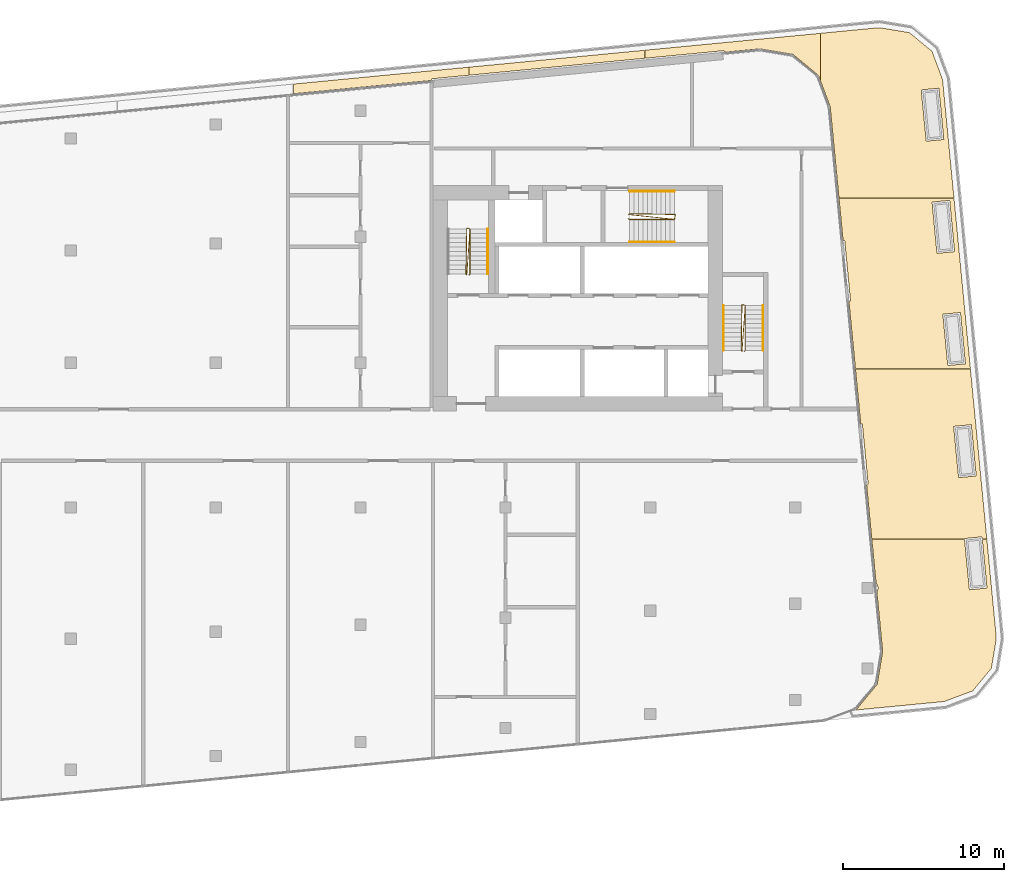
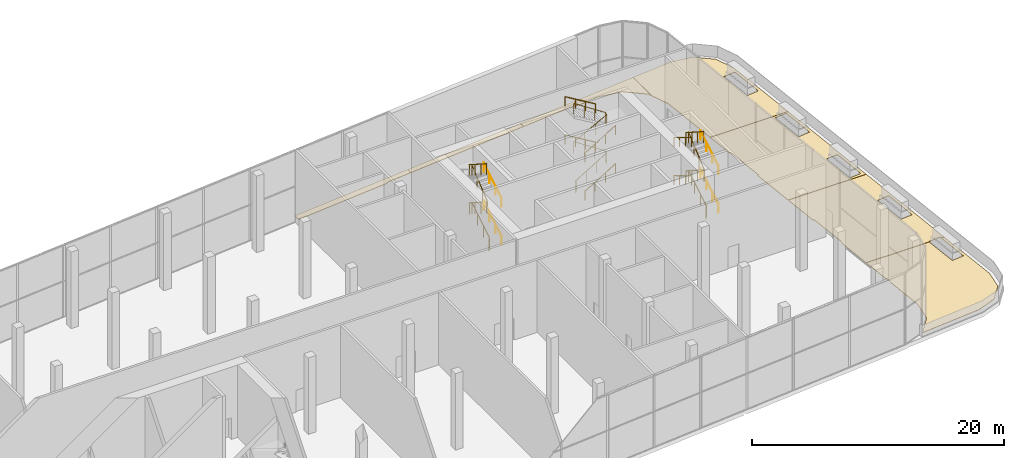
# One storey, part 24 of 25: 13 railings, 7 coverings.
"""IFC4 building model written with IfcOpenShell, lengths in metres."""

from ifc_helpers import new_model, si_unit, direction, frame, origin, origin_2d, place, context, subcontext, project, spatial, polyline, circle, outline, extrude, material, layer, layer_set, type_object, element, save


model = new_model("IFC4")

# Units and contexts
model_context = context("Model", 3, precision=1e-05, world=origin(), true_north=direction((0.0, 1.0)))
body_context = subcontext(model_context, "Body", "Model", "MODEL_VIEW")
ifc_project = project(units=[si_unit("LENGTHUNIT", "METRE"), si_unit("AREAUNIT", "SQUARE_METRE"), si_unit("VOLUMEUNIT", "CUBIC_METRE"), si_unit("PLANEANGLEUNIT", "RADIAN"), si_unit("MASSUNIT", "GRAM", prefix="KILO")], contexts=[model_context])

# Site, building, storey
site_placement = place(None, origin())
site = spatial("IfcSite", under=ifc_project, at=site_placement, CompositionType="ELEMENT")
building_placement = place(site_placement, origin())
building = spatial("IfcBuilding", under=site, at=building_placement, Name="Kajstack Hotel Tower", CompositionType="ELEMENT")
storey_placement = place(building_placement, frame((0.0, 0.0, 155.0)))
storey = spatial("IfcBuildingStorey", under=building, at=storey_placement, Name="L36", CompositionType="ELEMENT", Elevation=155.0)

# Coverings
ifc_material_1 = material(Name="Timber larch", Category="wood")
ifc_layer = layer(ifc_material_1, 0.050048828125)
ifc_layer_set = layer_set([ifc_layer], Name="DECK-LARCH")
covering_type = type_object("IfcCoveringType", Name="DECK-LARCH", PredefinedType="FLOORING", material=ifc_layer_set)
covering_1_placement = place(storey_placement, origin())
element("IfcCovering", 1, at=covering_1_placement, inside=storey, type_object=covering_type, Name="Larch decking L36-01-05", PredefinedType="FLOORING", context=body_context, shape_type="SweptSolid", body=[
    extrude(outline(polyline([(15.7275390625, 22.3564453125), (15.7275390625, 22.8564453125), (4.82568359375, 21.806640625), (4.82568359375, 21.206298828125), (13.400390625, 22.031982421875), (13.390869140625, 22.13134765625), (15.7275390625, 22.3564453125)])), origin(), (0.0, 0.0, 1.0), 0.050048828125),
])
covering_2_placement = place(storey_placement, origin())
element("IfcCovering", 2, at=covering_2_placement, inside=storey, type_object=covering_type, Name="Larch decking L36-01-06", PredefinedType="FLOORING", context=body_context, shape_type="SweptSolid", body=[
    extrude(outline(polyline([(26.6494140625, 23.407958984375), (26.6494140625, 23.908203125), (15.74755859375, 22.8583984375), (15.74755859375, 22.3583984375), (26.6494140625, 23.407958984375)])), origin(), (0.0, 0.0, 1.0), 0.050048828125),
])
covering_3_placement = place(storey_placement, origin())
element("IfcCovering", 3, at=covering_3_placement, inside=storey, type_object=covering_type, Name="Larch decking L36-01-07", PredefinedType="FLOORING", context=body_context, shape_type="SweptSolid", body=[
    extrude(outline(polyline([(35.85693359375, 23.656005859375), (37.45458984375, 22.3388671875), (37.5712890625, 22.0263671875), (37.5712890625, 24.959716796875), (26.66943359375, 23.909912109375), (26.66943359375, 23.409912109375), (31.58984375, 23.8837890625), (31.599609375, 23.784423828125), (33.814697265625, 23.99755859375), (35.85693359375, 23.656005859375)])), origin(), (0.0, 0.0, 1.0), 0.050048828125),
])
covering_4_placement = place(storey_placement, origin())
element("IfcCovering", 4, at=covering_4_placement, inside=storey, type_object=covering_type, Name="Larch decking L36-01-08", PredefinedType="FLOORING", context=body_context, shape_type="SweptSolid", body=[
    extrude(outline(polyline([(47.911865234375, -6.492431640625), (47.630615234375, -6.492431640625), (47.9208984375, -9.508056640625), (46.825927734375, -9.613525390625), (46.525634765625, -6.492431640625), (40.76904296875, -6.492431640625), (41.0234375, -9.1357421875), (41.175048828125, -9.501220703125), (41.08056640625, -9.72900390625), (41.4384765625, -13.444091796875), (41.0966796875, -15.486328125), (39.79052734375, -17.07080078125), (39.89599609375, -17.07080078125), (45.272216796875, -16.55322265625), (47.035888671875, -15.893798828125), (48.192626953125, -14.490478515625), (48.4931640625, -12.693359375), (48.4931640625, -12.52978515625), (47.911865234375, -6.492431640625)])), origin(), (0.0, 0.0, 1.0), 0.050048828125),
])
covering_5_placement = place(storey_placement, origin())
element("IfcCovering", 5, at=covering_5_placement, inside=storey, type_object=covering_type, Name="Larch decking L36-01-09", PredefinedType="FLOORING", context=body_context, shape_type="SweptSolid", body=[
    extrude(outline(polyline([(46.891357421875, 4.106201171875), (39.74853515625, 4.106201171875), (40.077392578125, 0.691162109375), (40.1767578125, 0.700927734375), (40.541015625, -3.081787109375), (40.441650390625, -3.09130859375), (40.76708984375, -6.472412109375), (46.523681640625, -6.472412109375), (46.519287109375, -6.42822265625), (47.6142578125, -6.32275390625), (47.628662109375, -6.472412109375), (47.909912109375, -6.472412109375), (46.891357421875, 4.106201171875)]), holes=[polyline([(46.943359375, 0.64501953125), (47.25, -2.540283203125), (46.155029296875, -2.645751953125), (45.848388671875, 0.53955078125), (46.943359375, 0.64501953125)])]), origin(), (0.0, 0.0, 1.0), 0.050048828125),
])
covering_6_placement = place(storey_placement, origin())
element("IfcCovering", 6, at=covering_6_placement, inside=storey, type_object=covering_type, Name="Larch decking L36-01-10", PredefinedType="FLOORING", context=body_context, shape_type="SweptSolid", body=[
    extrude(outline(polyline([(45.870849609375, 14.70458984375), (38.72802734375, 14.70458984375), (38.979736328125, 12.09130859375), (39.0791015625, 12.100830078125), (39.443359375, 8.318359375), (39.34375, 8.308837890625), (39.74658203125, 4.126220703125), (46.889404296875, 4.126220703125), (45.870849609375, 14.70458984375)]), holes=[polyline([(46.5791015625, 4.427490234375), (45.484130859375, 4.322021484375), (45.177490234375, 7.50732421875), (46.2724609375, 7.61279296875), (46.5791015625, 4.427490234375)]), polyline([(45.6015625, 14.58056640625), (45.908203125, 11.395263671875), (44.813232421875, 11.289794921875), (44.506591796875, 14.47509765625), (45.6015625, 14.58056640625)])]), origin(), (0.0, 0.0, 1.0), 0.050048828125),
])
covering_7_placement = place(storey_placement, origin())
element("IfcCovering", 7, at=covering_7_placement, inside=storey, type_object=covering_type, Name="Larch decking L36-01-11", PredefinedType="FLOORING", context=body_context, shape_type="SweptSolid", body=[
    extrude(outline(polyline([(37.59130859375, 24.961669921875), (37.59130859375, 21.972900390625), (38.1796875, 20.3994140625), (38.72607421875, 14.724609375), (45.868896484375, 14.724609375), (45.16064453125, 22.08203125), (44.501220703125, 23.845703125), (43.097900390625, 25.00244140625), (41.30078125, 25.302978515625), (41.13720703125, 25.302978515625), (37.59130859375, 24.961669921875)]), holes=[polyline([(45.2373046875, 18.363037109375), (44.142333984375, 18.257568359375), (43.835693359375, 21.44287109375), (44.9306640625, 21.54833984375), (45.2373046875, 18.363037109375)])]), origin(), (0.0, 0.0, 1.0), 0.050048828125),
])

# Railings
ifc_material_2 = material(Name="Steel S355J2", Category="steel")
railing_type_1 = type_object("IfcRailingType", Name="Stair guard 1100", PredefinedType="GUARDRAIL", material=ifc_material_2)
railing_1_placement = place(storey_placement, frame((32.85009765625, 5.199951171875, 0.0)))
element("IfcRailing", 8, at=railing_1_placement, inside=storey, type_object=railing_type_1, Name="L36 E1 stair guard 1", PredefinedType="GUARDRAIL", context=body_context, shape_type="SweptSolid", body=[
    extrude(circle(Radius=0.02392578125, at=origin_2d()), frame((0.0, 0.0, 1.076171875), z_axis=(0.273006030465, 0.27434429532, 0.922064485248), x_axis=(-0.708833529934, 0.705375805398, 0.0)), (0.0, 0.0, 1.0), 0.182373046875),
    extrude(circle(Radius=0.02392578125, at=origin_2d()), frame((0.0498046875, 0.050048828125, 1.244140625), z_axis=(0.0, 0.857242210791, 0.514913383045), x_axis=(-1.0, 0.0, 0.0)), (0.0, 0.0, 1.0), 3.266357421875),
    extrude(circle(Radius=0.02392578125, at=origin_2d()), frame((0.0498046875, 2.85009765625, 2.92626953125), z_axis=(-0.970072785993, 0.242814311512, 0.0), x_axis=(-0.242814311512, -0.970072785993, 0.0)), (0.0, 0.0, 1.0), 0.2060546875),
    extrude(circle(Radius=0.02392578125, at=origin_2d()), frame((-0.150146484375, 2.900146484375, 2.92626953125), z_axis=(-0.014728196159, -0.838716887595, 0.544368498998), x_axis=(0.999845851991, -0.017557683712, 0.0)), (0.0, 0.0, 1.0), 3.398193359375),
    extrude(circle(Radius=0.02392578125, at=origin_2d()), frame((-0.2001953125, 0.050048828125, 4.77587890625), z_axis=(0.707106781187, -0.707106781187, 0.0), x_axis=(0.707106781187, 0.707106781187, 0.0)), (0.0, 0.0, 1.0), 0.07080078125),
    extrude(circle(Radius=0.02392578125, at=origin_2d()), frame((-0.150146484375, 0.0, 4.77587890625), z_axis=(0.058743402089, 0.837326588512, 0.543537852299), x_axis=(-0.997548121837, 0.06998388828, 0.0)), (0.0, 0.0, 1.0), 3.40380859375),
    extrude(circle(Radius=0.02392578125, at=origin_2d()), frame((0.0498046875, 2.85009765625, 6.6259765625), z_axis=(-0.970072785993, 0.242814311512, 0.0), x_axis=(-0.242814311512, -0.970072785993, 0.0)), (0.0, 0.0, 1.0), 0.2060546875),
    extrude(circle(Radius=0.02392578125, at=origin_2d()), frame((-0.150146484375, 2.900146484375, 6.6259765625), z_axis=(-0.014728196159, -0.838716887595, 0.544368498998), x_axis=(0.999845851991, -0.017557683712, 0.0)), (0.0, 0.0, 1.0), 3.398193359375),
    extrude(circle(Radius=0.02099609375, at=origin_2d()), origin(), (0.0, 0.0, 1.0), 1.052001953125),
    extrude(circle(Radius=0.02099609375, at=origin_2d()), frame((0.0498046875, 0.050048828125, 0.168212890625)), (0.0, 0.0, 1.0), 1.052001953125),
    extrude(circle(Radius=0.02099609375, at=origin_2d()), frame((0.0498046875, 0.9833984375, 0.728759765625)), (0.0, 0.0, 1.0), 1.052001953125),
    extrude(circle(Radius=0.02099609375, at=origin_2d()), frame((0.0498046875, 1.916748046875, 1.28955078125)), (0.0, 0.0, 1.0), 1.052001953125),
    extrude(circle(Radius=0.02099609375, at=origin_2d()), frame((0.0498046875, 2.85009765625, 1.85009765625)), (0.0, 0.0, 1.0), 1.052001953125),
    extrude(circle(Radius=0.02099609375, at=origin_2d()), frame((-0.150146484375, 2.900146484375, 1.85009765625)), (0.0, 0.0, 1.0), 1.052001953125),
    extrude(circle(Radius=0.02099609375, at=origin_2d()), frame((-0.166748046875, 1.9501953125, 2.466796875)), (0.0, 0.0, 1.0), 1.052001953125),
    extrude(circle(Radius=0.02099609375, at=origin_2d()), frame((-0.18359375, 1.0, 3.083251953125)), (0.0, 0.0, 1.0), 1.052001953125),
    extrude(circle(Radius=0.02099609375, at=origin_2d()), frame((-0.2001953125, 0.050048828125, 3.699951171875)), (0.0, 0.0, 1.0), 1.052001953125),
    extrude(circle(Radius=0.02099609375, at=origin_2d()), frame((-0.150146484375, 0.0, 3.699951171875)), (0.0, 0.0, 1.0), 1.052001953125),
    extrude(circle(Radius=0.02099609375, at=origin_2d()), frame((-0.08349609375, 0.949951171875, 4.316650390625)), (0.0, 0.0, 1.0), 1.052001953125),
    extrude(circle(Radius=0.02099609375, at=origin_2d()), frame((-0.016845703125, 1.900146484375, 4.933349609375)), (0.0, 0.0, 1.0), 1.052001953125),
    extrude(circle(Radius=0.02099609375, at=origin_2d()), frame((0.0498046875, 2.85009765625, 5.550048828125)), (0.0, 0.0, 1.0), 1.052001953125),
    extrude(circle(Radius=0.02099609375, at=origin_2d()), frame((-0.150146484375, 2.900146484375, 5.550048828125)), (0.0, 0.0, 1.0), 1.052001953125),
    extrude(circle(Radius=0.02099609375, at=origin_2d()), frame((-0.166748046875, 1.9501953125, 6.166748046875)), (0.0, 0.0, 1.0), 1.052001953125),
    extrude(circle(Radius=0.02099609375, at=origin_2d()), frame((-0.18359375, 1.0, 6.783203125)), (0.0, 0.0, 1.0), 1.052001953125),
    extrude(circle(Radius=0.02099609375, at=origin_2d()), frame((-0.2001953125, 0.050048828125, 7.39990234375)), (0.0, 0.0, 1.0), 1.052001953125),
])
railing_2_placement = place(storey_placement, frame((15.75, 9.949951171875, 0.0)))
element("IfcRailing", 9, at=railing_2_placement, inside=storey, type_object=railing_type_1, Name="L36 E2 stair guard 1", PredefinedType="GUARDRAIL", context=body_context, shape_type="SweptSolid", body=[
    extrude(circle(Radius=0.02392578125, at=origin_2d()), frame((0.0, 0.0, 1.076171875), z_axis=(0.274243871929, 0.274243871929, 0.92172696468), x_axis=(-0.707106781187, 0.707106781187, 0.0)), (0.0, 0.0, 1.0), 0.1826171875),
    extrude(circle(Radius=0.02392578125, at=origin_2d()), frame((0.050048828125, 0.050048828125, 1.244140625), z_axis=(0.0, 0.857242210791, 0.514913383045), x_axis=(-1.0, 0.0, 0.0)), (0.0, 0.0, 1.0), 3.266357421875),
    extrude(circle(Radius=0.02392578125, at=origin_2d()), frame((0.050048828125, 2.85009765625, 2.92626953125), z_axis=(-0.970072785993, 0.242814311512, 0.0), x_axis=(-0.242814311512, -0.970072785993, 0.0)), (0.0, 0.0, 1.0), 0.2060546875),
    extrude(circle(Radius=0.02392578125, at=origin_2d()), frame((-0.14990234375, 2.900146484375, 2.92626953125), z_axis=(-0.014728196159, -0.838716887595, 0.544368498998), x_axis=(0.999845851991, -0.017557683712, 0.0)), (0.0, 0.0, 1.0), 3.398193359375),
    extrude(circle(Radius=0.02392578125, at=origin_2d()), frame((-0.199951171875, 0.050048828125, 4.77587890625), z_axis=(0.707106781187, -0.707106781187, 0.0), x_axis=(0.707106781187, 0.707106781187, 0.0)), (0.0, 0.0, 1.0), 0.07080078125),
    extrude(circle(Radius=0.02392578125, at=origin_2d()), frame((-0.14990234375, 0.0, 4.77587890625), z_axis=(0.058743402089, 0.837326588512, 0.543537852299), x_axis=(-0.997548121837, 0.06998388828, 0.0)), (0.0, 0.0, 1.0), 3.40380859375),
    extrude(circle(Radius=0.02392578125, at=origin_2d()), frame((0.050048828125, 2.85009765625, 6.6259765625), z_axis=(-0.970072785993, 0.242814311512, 0.0), x_axis=(-0.242814311512, -0.970072785993, 0.0)), (0.0, 0.0, 1.0), 0.2060546875),
    extrude(circle(Radius=0.02392578125, at=origin_2d()), frame((-0.14990234375, 2.900146484375, 6.6259765625), z_axis=(-0.014728196159, -0.838716887595, 0.544368498998), x_axis=(0.999845851991, -0.017557683712, 0.0)), (0.0, 0.0, 1.0), 3.398193359375),
    extrude(circle(Radius=0.02099609375, at=origin_2d()), origin(), (0.0, 0.0, 1.0), 1.052001953125),
    extrude(circle(Radius=0.02099609375, at=origin_2d()), frame((0.050048828125, 0.050048828125, 0.168212890625)), (0.0, 0.0, 1.0), 1.052001953125),
    extrude(circle(Radius=0.02099609375, at=origin_2d()), frame((0.050048828125, 0.9833984375, 0.728759765625)), (0.0, 0.0, 1.0), 1.052001953125),
    extrude(circle(Radius=0.02099609375, at=origin_2d()), frame((0.050048828125, 1.916748046875, 1.28955078125)), (0.0, 0.0, 1.0), 1.052001953125),
    extrude(circle(Radius=0.02099609375, at=origin_2d()), frame((0.050048828125, 2.85009765625, 1.85009765625)), (0.0, 0.0, 1.0), 1.052001953125),
    extrude(circle(Radius=0.02099609375, at=origin_2d()), frame((-0.14990234375, 2.900146484375, 1.85009765625)), (0.0, 0.0, 1.0), 1.052001953125),
    extrude(circle(Radius=0.02099609375, at=origin_2d()), frame((-0.16650390625, 1.9501953125, 2.466796875)), (0.0, 0.0, 1.0), 1.052001953125),
    extrude(circle(Radius=0.02099609375, at=origin_2d()), frame((-0.183349609375, 1.0, 3.083251953125)), (0.0, 0.0, 1.0), 1.052001953125),
    extrude(circle(Radius=0.02099609375, at=origin_2d()), frame((-0.199951171875, 0.050048828125, 3.699951171875)), (0.0, 0.0, 1.0), 1.052001953125),
    extrude(circle(Radius=0.02099609375, at=origin_2d()), frame((-0.14990234375, 0.0, 3.699951171875)), (0.0, 0.0, 1.0), 1.052001953125),
    extrude(circle(Radius=0.02099609375, at=origin_2d()), frame((-0.083251953125, 0.949951171875, 4.316650390625)), (0.0, 0.0, 1.0), 1.052001953125),
    extrude(circle(Radius=0.02099609375, at=origin_2d()), frame((-0.0166015625, 1.900146484375, 4.933349609375)), (0.0, 0.0, 1.0), 1.052001953125),
    extrude(circle(Radius=0.02099609375, at=origin_2d()), frame((0.050048828125, 2.85009765625, 5.550048828125)), (0.0, 0.0, 1.0), 1.052001953125),
    extrude(circle(Radius=0.02099609375, at=origin_2d()), frame((-0.14990234375, 2.900146484375, 5.550048828125)), (0.0, 0.0, 1.0), 1.052001953125),
    extrude(circle(Radius=0.02099609375, at=origin_2d()), frame((-0.16650390625, 1.9501953125, 6.166748046875)), (0.0, 0.0, 1.0), 1.052001953125),
    extrude(circle(Radius=0.02099609375, at=origin_2d()), frame((-0.183349609375, 1.0, 6.783203125)), (0.0, 0.0, 1.0), 1.052001953125),
    extrude(circle(Radius=0.02099609375, at=origin_2d()), frame((-0.199951171875, 0.050048828125, 7.39990234375)), (0.0, 0.0, 1.0), 1.052001953125),
])
railing_3_placement = place(storey_placement, frame((25.64990234375, 13.449951171875, 0.0)))
element("IfcRailing", 10, at=railing_3_placement, inside=storey, type_object=railing_type_1, Name="L36 E3 stair guard 1", PredefinedType="GUARDRAIL", context=body_context, shape_type="SweptSolid", body=[
    extrude(circle(Radius=0.02392578125, at=origin_2d()), frame((0.0, 0.0, 1.076171875), z_axis=(0.274243871929, -0.274243871929, 0.92172696468), x_axis=(0.707106781187, 0.707106781187, 0.0)), (0.0, 0.0, 1.0), 0.1826171875),
    extrude(circle(Radius=0.02392578125, at=origin_2d()), frame((0.050048828125, -0.050048828125, 1.244140625), z_axis=(0.857242210791, 0.0, 0.514913383045), x_axis=(0.0, 1.0, 0.0)), (0.0, 0.0, 1.0), 3.266357421875),
    extrude(circle(Radius=0.02392578125, at=origin_2d()), frame((2.85009765625, -0.050048828125, 2.92626953125), z_axis=(0.164529134168, 0.986372223864, 0.0), x_axis=(-0.986372223864, 0.164529134168, 0.0)), (0.0, 0.0, 1.0), 0.30419921875),
    extrude(circle(Radius=0.02392578125, at=origin_2d()), frame((2.900146484375, 0.25, 2.92626953125), z_axis=(-0.838716887595, 0.014728196159, 0.544368498998), x_axis=(-0.017557683712, -0.999845851991, 0.0)), (0.0, 0.0, 1.0), 3.398193359375),
    extrude(circle(Radius=0.02392578125, at=origin_2d()), frame((0.050048828125, 0.300048828125, 4.77587890625), z_axis=(-0.707106781187, -0.707106781187, 0.0), x_axis=(0.707106781187, -0.707106781187, 0.0)), (0.0, 0.0, 1.0), 0.07080078125),
    extrude(circle(Radius=0.02392578125, at=origin_2d()), frame((0.0, 0.25, 4.77587890625), z_axis=(0.835523882907, -0.08796118315, 0.542367653304), x_axis=(0.104698088099, 0.994504052455, 0.0)), (0.0, 0.0, 1.0), 3.4111328125),
    extrude(circle(Radius=0.02392578125, at=origin_2d()), frame((2.85009765625, -0.050048828125, 6.6259765625), z_axis=(0.164529134168, 0.986372223864, 0.0), x_axis=(-0.986372223864, 0.164529134168, 0.0)), (0.0, 0.0, 1.0), 0.30419921875),
    extrude(circle(Radius=0.02392578125, at=origin_2d()), frame((2.900146484375, 0.25, 6.6259765625), z_axis=(-0.838716887595, 0.014728196159, 0.544368498998), x_axis=(-0.017557683712, -0.999845851991, 0.0)), (0.0, 0.0, 1.0), 3.398193359375),
    extrude(circle(Radius=0.02099609375, at=origin_2d()), origin(), (0.0, 0.0, 1.0), 1.052001953125),
    extrude(circle(Radius=0.02099609375, at=origin_2d()), frame((0.050048828125, -0.050048828125, 0.168212890625)), (0.0, 0.0, 1.0), 1.052001953125),
    extrude(circle(Radius=0.02099609375, at=origin_2d()), frame((0.9833984375, -0.050048828125, 0.728759765625)), (0.0, 0.0, 1.0), 1.052001953125),
    extrude(circle(Radius=0.02099609375, at=origin_2d()), frame((1.916748046875, -0.050048828125, 1.28955078125)), (0.0, 0.0, 1.0), 1.052001953125),
    extrude(circle(Radius=0.02099609375, at=origin_2d()), frame((2.85009765625, -0.050048828125, 1.85009765625)), (0.0, 0.0, 1.0), 1.052001953125),
    extrude(circle(Radius=0.02099609375, at=origin_2d()), frame((2.900146484375, 0.25, 1.85009765625)), (0.0, 0.0, 1.0), 1.052001953125),
    extrude(circle(Radius=0.02099609375, at=origin_2d()), frame((1.9501953125, 0.2666015625, 2.466796875)), (0.0, 0.0, 1.0), 1.052001953125),
    extrude(circle(Radius=0.02099609375, at=origin_2d()), frame((1.0, 0.283447265625, 3.083251953125)), (0.0, 0.0, 1.0), 1.052001953125),
    extrude(circle(Radius=0.02099609375, at=origin_2d()), frame((0.050048828125, 0.300048828125, 3.699951171875)), (0.0, 0.0, 1.0), 1.052001953125),
    extrude(circle(Radius=0.02099609375, at=origin_2d()), frame((0.0, 0.25, 3.699951171875)), (0.0, 0.0, 1.0), 1.052001953125),
    extrude(circle(Radius=0.02099609375, at=origin_2d()), frame((0.949951171875, 0.14990234375, 4.316650390625)), (0.0, 0.0, 1.0), 1.052001953125),
    extrude(circle(Radius=0.02099609375, at=origin_2d()), frame((1.900146484375, 0.050048828125, 4.933349609375)), (0.0, 0.0, 1.0), 1.052001953125),
    extrude(circle(Radius=0.02099609375, at=origin_2d()), frame((2.85009765625, -0.050048828125, 5.550048828125)), (0.0, 0.0, 1.0), 1.052001953125),
    extrude(circle(Radius=0.02099609375, at=origin_2d()), frame((2.900146484375, 0.25, 5.550048828125)), (0.0, 0.0, 1.0), 1.052001953125),
    extrude(circle(Radius=0.02099609375, at=origin_2d()), frame((1.9501953125, 0.2666015625, 6.166748046875)), (0.0, 0.0, 1.0), 1.052001953125),
    extrude(circle(Radius=0.02099609375, at=origin_2d()), frame((1.0, 0.283447265625, 6.783203125)), (0.0, 0.0, 1.0), 1.052001953125),
    extrude(circle(Radius=0.02099609375, at=origin_2d()), frame((0.050048828125, 0.300048828125, 7.39990234375)), (0.0, 0.0, 1.0), 1.052001953125),
])
railing_type_2 = type_object("IfcRailingType", Name="Stair handrail 900", PredefinedType="HANDRAIL", material=ifc_material_2)
railing_4_placement = place(storey_placement, frame((34.0, 5.25, 0.168212890625)))
element("IfcRailing", 11, at=railing_4_placement, inside=storey, type_object=railing_type_2, Name="L36 E1 stair handrail 1", PredefinedType="HANDRAIL", context=body_context, shape_type="SweptSolid", body=[
    extrude(circle(Radius=0.02392578125, at=origin_2d()), frame((0.0, 0.0, 0.8759765625), z_axis=(0.0, 0.857242210791, 0.514913383045), x_axis=(-1.0, 0.0, 0.0)), (0.0, 0.0, 1.0), 3.266357421875),
    extrude(circle(Radius=0.02099609375, at=origin_2d()), origin(), (0.0, 0.0, 1.0), 0.851806640625),
    extrude(circle(Radius=0.02099609375, at=origin_2d()), frame((0.0, 0.933349609375, 0.560546875)), (0.0, 0.0, 1.0), 0.851806640625),
    extrude(circle(Radius=0.02099609375, at=origin_2d()), frame((0.0, 1.86669921875, 1.121337890625)), (0.0, 0.0, 1.0), 0.851806640625),
    extrude(circle(Radius=0.02099609375, at=origin_2d()), frame((0.0, 2.800048828125, 1.681884765625)), (0.0, 0.0, 1.0), 0.851806640625),
])
railing_5_placement = place(storey_placement, frame((31.550048828125, 8.050048828125, 2.01806640625)))
element("IfcRailing", 12, at=railing_5_placement, inside=storey, type_object=railing_type_2, Name="L36 E1 stair handrail 2", PredefinedType="HANDRAIL", context=body_context, shape_type="SweptSolid", body=[
    extrude(circle(Radius=0.02392578125, at=origin_2d()), frame((0.0, 0.0, 0.8759765625), z_axis=(0.0, -0.857242210791, 0.514913383045), x_axis=(1.0, 0.0, 0.0)), (0.0, 0.0, 1.0), 3.266357421875),
    extrude(circle(Radius=0.02099609375, at=origin_2d()), origin(), (0.0, 0.0, 1.0), 0.851806640625),
    extrude(circle(Radius=0.02099609375, at=origin_2d()), frame((0.0, -0.933349609375, 0.560546875)), (0.0, 0.0, 1.0), 0.851806640625),
    extrude(circle(Radius=0.02099609375, at=origin_2d()), frame((0.0, -1.86669921875, 1.121337890625)), (0.0, 0.0, 1.0), 0.851806640625),
    extrude(circle(Radius=0.02099609375, at=origin_2d()), frame((0.0, -2.800048828125, 1.681884765625)), (0.0, 0.0, 1.0), 0.851806640625),
])
railing_6_placement = place(storey_placement, frame((34.0, 5.25, 3.8681640625)))
element("IfcRailing", 13, at=railing_6_placement, inside=storey, type_object=railing_type_2, Name="L36 E1 stair handrail 3", PredefinedType="HANDRAIL", context=body_context, shape_type="SweptSolid", body=[
    extrude(circle(Radius=0.02392578125, at=origin_2d()), frame((0.0, 0.0, 0.8759765625), z_axis=(0.0, 0.857242210791, 0.514913383045), x_axis=(-1.0, 0.0, 0.0)), (0.0, 0.0, 1.0), 3.266357421875),
    extrude(circle(Radius=0.02099609375, at=origin_2d()), origin(), (0.0, 0.0, 1.0), 0.851806640625),
    extrude(circle(Radius=0.02099609375, at=origin_2d()), frame((0.0, 0.933349609375, 0.560546875)), (0.0, 0.0, 1.0), 0.851806640625),
    extrude(circle(Radius=0.02099609375, at=origin_2d()), frame((0.0, 1.86669921875, 1.121337890625)), (0.0, 0.0, 1.0), 0.851806640625),
    extrude(circle(Radius=0.02099609375, at=origin_2d()), frame((0.0, 2.800048828125, 1.681884765625)), (0.0, 0.0, 1.0), 0.851806640625),
])
railing_7_placement = place(storey_placement, frame((31.550048828125, 8.050048828125, 5.71826171875)))
element("IfcRailing", 14, at=railing_7_placement, inside=storey, type_object=railing_type_2, Name="L36 E1 stair handrail 4", PredefinedType="HANDRAIL", context=body_context, shape_type="SweptSolid", body=[
    extrude(circle(Radius=0.02392578125, at=origin_2d()), frame((0.0, 0.0, 0.8759765625), z_axis=(0.0, -0.857275202839, 0.514858452973), x_axis=(1.0, 0.0, 0.0)), (0.0, 0.0, 1.0), 3.26611328125),
    extrude(circle(Radius=0.02099609375, at=origin_2d()), origin(), (0.0, 0.0, 1.0), 0.851806640625),
    extrude(circle(Radius=0.02099609375, at=origin_2d()), frame((0.0, -0.933349609375, 0.560546875)), (0.0, 0.0, 1.0), 0.851806640625),
    extrude(circle(Radius=0.02099609375, at=origin_2d()), frame((0.0, -1.86669921875, 1.12109375)), (0.0, 0.0, 1.0), 0.851806640625),
    extrude(circle(Radius=0.02099609375, at=origin_2d()), frame((0.0, -2.800048828125, 1.681640625)), (0.0, 0.0, 1.0), 0.851806640625),
])
for number, where, name in (
    (15, (16.89990234375, 10.0, 0.168212890625), "L36 E2 stair handrail 1"),
    (16, (16.89990234375, 10.0, 3.8681640625), "L36 E2 stair handrail 3"),
):
    element("IfcRailing", number, at=place(storey_placement, frame(where)), inside=storey, type_object=railing_type_2, Name=name, PredefinedType="HANDRAIL", context=body_context, shape_type="SweptSolid", body=[
        extrude(circle(Radius=0.02392578125, at=origin_2d()), frame((0.0, 0.0, 0.8759765625), z_axis=(0.0, 0.857242210791, 0.514913383045), x_axis=(-1.0, 0.0, 0.0)), (0.0, 0.0, 1.0), 3.266357421875),
        extrude(circle(Radius=0.02099609375, at=origin_2d()), origin(), (0.0, 0.0, 1.0), 0.851806640625),
        extrude(circle(Radius=0.02099609375, at=origin_2d()), frame((0.0, 0.933349609375, 0.560546875)), (0.0, 0.0, 1.0), 0.851806640625),
        extrude(circle(Radius=0.02099609375, at=origin_2d()), frame((0.0, 1.86669921875, 1.121337890625)), (0.0, 0.0, 1.0), 0.851806640625),
        extrude(circle(Radius=0.02099609375, at=origin_2d()), frame((0.0, 2.800048828125, 1.681884765625)), (0.0, 0.0, 1.0), 0.851806640625),
    ])
railing_8_placement = place(storey_placement, frame((25.699951171875, 12.0, 0.168212890625)))
element("IfcRailing", 17, at=railing_8_placement, inside=storey, type_object=railing_type_2, Name="L36 E3 stair handrail 1", PredefinedType="HANDRAIL", context=body_context, shape_type="SweptSolid", body=[
    extrude(circle(Radius=0.02392578125, at=origin_2d()), frame((0.0, 0.0, 0.8759765625), z_axis=(0.857242210791, 0.0, 0.514913383045), x_axis=(0.0, 1.0, 0.0)), (0.0, 0.0, 1.0), 3.266357421875),
    extrude(circle(Radius=0.02099609375, at=origin_2d()), origin(), (0.0, 0.0, 1.0), 0.851806640625),
    extrude(circle(Radius=0.02099609375, at=origin_2d()), frame((0.933349609375, 0.0, 0.560546875)), (0.0, 0.0, 1.0), 0.851806640625),
    extrude(circle(Radius=0.02099609375, at=origin_2d()), frame((1.86669921875, 0.0, 1.121337890625)), (0.0, 0.0, 1.0), 0.851806640625),
    extrude(circle(Radius=0.02099609375, at=origin_2d()), frame((2.800048828125, 0.0, 1.681884765625)), (0.0, 0.0, 1.0), 0.851806640625),
])
railing_9_placement = place(storey_placement, frame((28.5, 15.14990234375, 2.01806640625)))
element("IfcRailing", 18, at=railing_9_placement, inside=storey, type_object=railing_type_2, Name="L36 E3 stair handrail 2", PredefinedType="HANDRAIL", context=body_context, shape_type="SweptSolid", body=[
    extrude(circle(Radius=0.02392578125, at=origin_2d()), frame((0.0, 0.0, 0.8759765625), z_axis=(-0.857242210791, 0.0, 0.514913383045), x_axis=(0.0, -1.0, 0.0)), (0.0, 0.0, 1.0), 3.266357421875),
    extrude(circle(Radius=0.02099609375, at=origin_2d()), origin(), (0.0, 0.0, 1.0), 0.851806640625),
    extrude(circle(Radius=0.02099609375, at=origin_2d()), frame((-0.933349609375, 0.0, 0.560546875)), (0.0, 0.0, 1.0), 0.851806640625),
    extrude(circle(Radius=0.02099609375, at=origin_2d()), frame((-1.86669921875, 0.0, 1.121337890625)), (0.0, 0.0, 1.0), 0.851806640625),
    extrude(circle(Radius=0.02099609375, at=origin_2d()), frame((-2.800048828125, 0.0, 1.681884765625)), (0.0, 0.0, 1.0), 0.851806640625),
])
railing_10_placement = place(storey_placement, frame((25.699951171875, 12.0, 3.8681640625)))
element("IfcRailing", 19, at=railing_10_placement, inside=storey, type_object=railing_type_2, Name="L36 E3 stair handrail 3", PredefinedType="HANDRAIL", context=body_context, shape_type="SweptSolid", body=[
    extrude(circle(Radius=0.02392578125, at=origin_2d()), frame((0.0, 0.0, 0.8759765625), z_axis=(0.857242210791, 0.0, 0.514913383045), x_axis=(0.0, 1.0, 0.0)), (0.0, 0.0, 1.0), 3.266357421875),
    extrude(circle(Radius=0.02099609375, at=origin_2d()), origin(), (0.0, 0.0, 1.0), 0.851806640625),
    extrude(circle(Radius=0.02099609375, at=origin_2d()), frame((0.933349609375, 0.0, 0.560546875)), (0.0, 0.0, 1.0), 0.851806640625),
    extrude(circle(Radius=0.02099609375, at=origin_2d()), frame((1.86669921875, 0.0, 1.121337890625)), (0.0, 0.0, 1.0), 0.851806640625),
    extrude(circle(Radius=0.02099609375, at=origin_2d()), frame((2.800048828125, 0.0, 1.681884765625)), (0.0, 0.0, 1.0), 0.851806640625),
])
railing_11_placement = place(storey_placement, frame((28.5, 15.14990234375, 5.71826171875)))
element("IfcRailing", 20, at=railing_11_placement, inside=storey, type_object=railing_type_2, Name="L36 E3 stair handrail 4", PredefinedType="HANDRAIL", context=body_context, shape_type="SweptSolid", body=[
    extrude(circle(Radius=0.02392578125, at=origin_2d()), frame((0.0, 0.0, 0.8759765625), z_axis=(-0.857275202839, 0.0, 0.514858452973), x_axis=(0.0, -1.0, 0.0)), (0.0, 0.0, 1.0), 3.26611328125),
    extrude(circle(Radius=0.02099609375, at=origin_2d()), origin(), (0.0, 0.0, 1.0), 0.851806640625),
    extrude(circle(Radius=0.02099609375, at=origin_2d()), frame((-0.933349609375, 0.0, 0.560546875)), (0.0, 0.0, 1.0), 0.851806640625),
    extrude(circle(Radius=0.02099609375, at=origin_2d()), frame((-1.86669921875, 0.0, 1.12109375)), (0.0, 0.0, 1.0), 0.851806640625),
    extrude(circle(Radius=0.02099609375, at=origin_2d()), frame((-2.800048828125, 0.0, 1.681640625)), (0.0, 0.0, 1.0), 0.851806640625),
])

save(model, "model.ifc")
